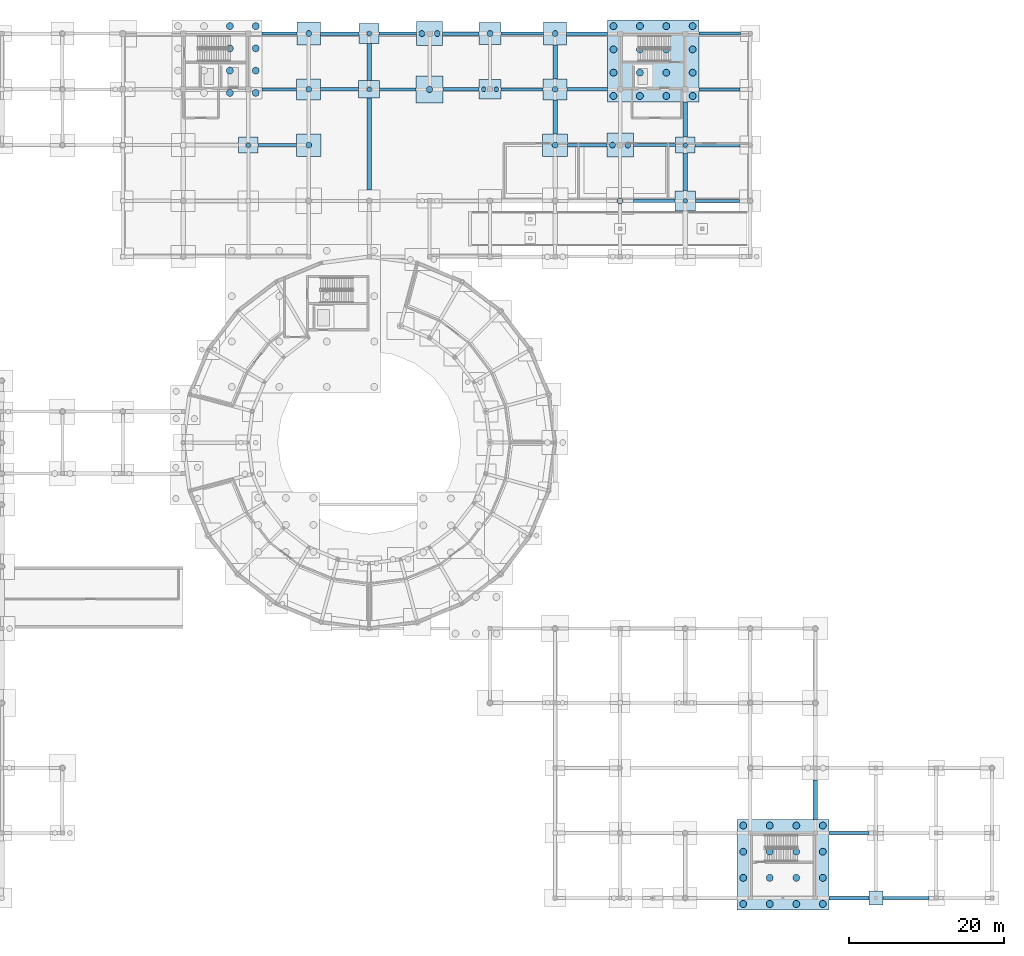
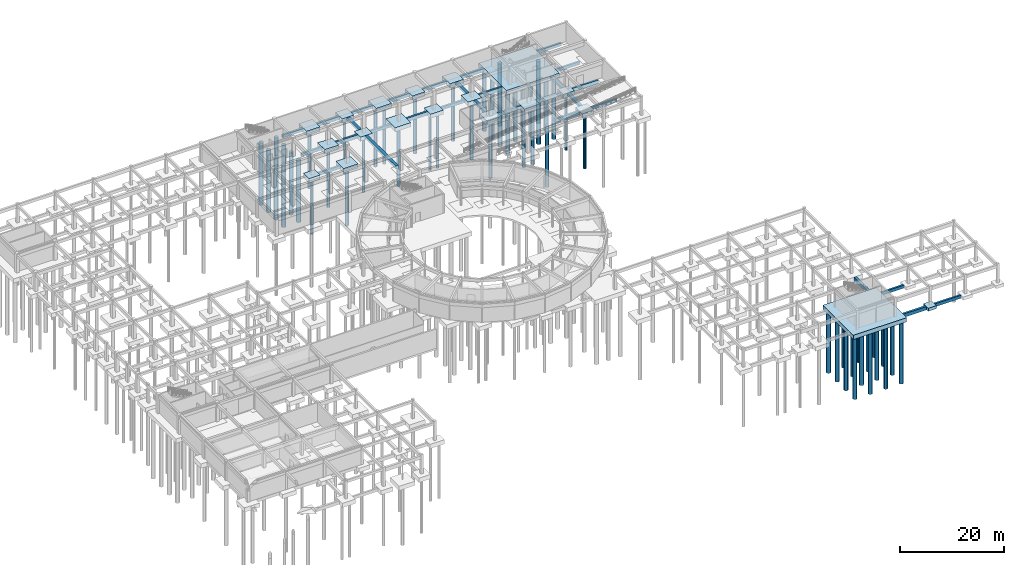
# One storey, part 6 of 43: 60 piles, 49 footings.
"""IFC4 building model written with IfcOpenShell, lengths in metres."""

from ifc_helpers import new_model, si_unit, derived_unit, direction, frame, origin, origin_2d, place, context, subcontext, project, spatial, rectangle, circle, extrude, material, material_profile, profile_set, type_object, element, save


model = new_model("IFC4")

# Units and contexts
model_context = context("Model", 3, precision=1e-05, world=origin(), true_north=direction((0.0, 1.0)))
body_context = subcontext(model_context, "Body", "Model", "MODEL_VIEW")
ifc_project = project(units=[si_unit("LENGTHUNIT", "METRE"), si_unit("AREAUNIT", "SQUARE_METRE"), si_unit("VOLUMEUNIT", "CUBIC_METRE"), si_unit("PLANEANGLEUNIT", "RADIAN"), si_unit("MASSUNIT", "GRAM", prefix="KILO"), derived_unit("THERMALTRANSMITTANCEUNIT", [(si_unit("POWERUNIT", "WATT"), 1), (si_unit("AREAUNIT", "SQUARE_METRE"), -1), (si_unit("THERMODYNAMICTEMPERATUREUNIT", "KELVIN"), -1)])], contexts=[model_context])

# Site, building, storey
site_placement = place(None, origin())
site = spatial("IfcSite", under=ifc_project, at=site_placement, CompositionType="ELEMENT")
building_placement = place(site_placement, origin())
building = spatial("IfcBuilding", under=site, at=building_placement, Name="Yasenodar Specialist Clinic", CompositionType="ELEMENT")
storey_placement = place(building_placement, frame((0.0, 0.0, -4.5)))
storey = spatial("IfcBuildingStorey", under=building, at=storey_placement, Name="B1", CompositionType="ELEMENT", Elevation=-4.5)

# Footings
ifc_material_1 = material(Name="Concrete C35/45", Category="concrete")
ifc_material_profile_1 = material_profile(ifc_material_1, rectangle(XDim=0.39990234375, YDim=0.699951171875, at=origin_2d()), Name="RC 400x700")
ifc_profile_set_1 = profile_set([ifc_material_profile_1], Name="Concrete C35/45")
footing_type_1 = type_object("IfcFootingType", Name="FB-400x700", PredefinedType="FOOTING_BEAM", material=ifc_profile_set_1)
footing_1_placement = place(storey_placement, frame((147.300048828125, 0.0, -0.39990234375), z_axis=(1.0, 0.0, 0.0), x_axis=(0.0, 1.0, 0.0)))
element("IfcFooting", 1, at=footing_1_placement, inside=storey, type_object=footing_type_1, Name="B1 E-W Ground Tie Beam 008", PredefinedType="FOOTING_BEAM", context=body_context, shape_type="SweptSolid", body=[
    extrude(rectangle(XDim=0.39990234375, YDim=0.699951171875, at=origin_2d()), origin(), (0.0, 0.0, 1.0), 6.0),
])
footing_2_placement = place(storey_placement, frame((140.35009765625, 8.39990234375, -0.39990234375), z_axis=(1.0, 0.0, 0.0), x_axis=(0.0, 1.0, 0.0)))
element("IfcFooting", 2, at=footing_2_placement, inside=storey, type_object=footing_type_1, Name="B1 E-W Ground Tie Beam 018", PredefinedType="FOOTING_BEAM", context=body_context, shape_type="SweptSolid", body=[
    extrude(rectangle(XDim=0.39990234375, YDim=0.699951171875, at=origin_2d()), origin(), (0.0, 0.0, 1.0), 5.14990234375),
])
footing_3_placement = place(storey_placement, frame((123.10009765625, 90.0, -0.39990234375), z_axis=(1.0, 0.0, 0.0), x_axis=(0.0, 1.0, 0.0)))
element("IfcFooting", 3, at=footing_3_placement, inside=storey, type_object=footing_type_1, Name="B1 E-W Ground Tie Beam 084", PredefinedType="FOOTING_BEAM", context=body_context, shape_type="SweptSolid", body=[
    extrude(rectangle(XDim=0.39990234375, YDim=0.699951171875, at=origin_2d()), origin(), (0.0, 0.0, 1.0), 5.699951171875),
])
footing_4_placement = place(storey_placement, frame((66.64990234375, 97.199951171875, -0.39990234375), z_axis=(1.0, 0.0, 0.0), x_axis=(0.0, 1.0, 0.0)))
element("IfcFooting", 4, at=footing_4_placement, inside=storey, type_object=footing_type_1, Name="B1 E-W Ground Tie Beam 092", PredefinedType="FOOTING_BEAM", context=body_context, shape_type="SweptSolid", body=[
    extrude(rectangle(XDim=0.39990234375, YDim=0.699951171875, at=origin_2d()), origin(), (0.0, 0.0, 1.0), 4.9501953125),
])
footing_5_placement = place(storey_placement, frame((115.10009765625, 97.199951171875, -0.39990234375), z_axis=(1.0, 0.0, 0.0), x_axis=(0.0, 1.0, 0.0)))
element("IfcFooting", 5, at=footing_5_placement, inside=storey, type_object=footing_type_1, Name="B1 E-W Ground Tie Beam 094", PredefinedType="FOOTING_BEAM", context=body_context, shape_type="SweptSolid", body=[
    extrude(rectangle(XDim=0.39990234375, YDim=0.699951171875, at=origin_2d()), origin(), (0.0, 0.0, 1.0), 5.449951171875),
])
footing_6_placement = place(storey_placement, frame((67.14990234375, 104.39990234375, -0.39990234375), z_axis=(1.0, 0.0, 0.0), x_axis=(0.0, 1.0, 0.0)))
element("IfcFooting", 6, at=footing_6_placement, inside=storey, type_object=footing_type_1, Name="B1 E-W Ground Tie Beam 102", PredefinedType="FOOTING_BEAM", context=body_context, shape_type="SweptSolid", body=[
    extrude(rectangle(XDim=0.39990234375, YDim=0.699951171875, at=origin_2d()), origin(), (0.0, 0.0, 1.0), 4.5),
])
footing_7_placement = place(storey_placement, frame((82.35009765625, 104.39990234375, -0.39990234375), z_axis=(1.0, 0.0, 0.0), x_axis=(0.0, 1.0, 0.0)))
element("IfcFooting", 7, at=footing_7_placement, inside=storey, type_object=footing_type_1, Name="B1 E-W Ground Tie Beam 104", PredefinedType="FOOTING_BEAM", context=body_context, shape_type="SweptSolid", body=[
    extrude(rectangle(XDim=0.39990234375, YDim=0.699951171875, at=origin_2d()), origin(), (0.0, 0.0, 1.0), 4.699951171875),
])
footing_8_placement = place(storey_placement, frame((98.050048828125, 104.39990234375, -0.39990234375), z_axis=(1.0, 0.0, 0.0), x_axis=(0.0, 1.0, 0.0)))
element("IfcFooting", 8, at=footing_8_placement, inside=storey, type_object=footing_type_1, Name="B1 E-W Ground Tie Beam 106", PredefinedType="FOOTING_BEAM", context=body_context, shape_type="SweptSolid", body=[
    extrude(rectangle(XDim=0.39990234375, YDim=0.699951171875, at=origin_2d()), origin(), (0.0, 0.0, 1.0), 5.39990234375),
])
footing_9_placement = place(storey_placement, frame((123.550048828125, 104.39990234375, -0.39990234375), z_axis=(1.0, 0.0, 0.0), x_axis=(0.0, 1.0, 0.0)))
element("IfcFooting", 9, at=footing_9_placement, inside=storey, type_object=footing_type_1, Name="B1 E-W Ground Tie Beam 108", PredefinedType="FOOTING_BEAM", context=body_context, shape_type="SweptSolid", body=[
    extrude(rectangle(XDim=0.39990234375, YDim=0.699951171875, at=origin_2d()), origin(), (0.0, 0.0, 1.0), 5.349853515625),
])
footing_10_placement = place(storey_placement, frame((67.14990234375, 111.60009765625, -0.39990234375), z_axis=(1.0, 0.0, 0.0), x_axis=(0.0, 1.0, 0.0)))
element("IfcFooting", 10, at=footing_10_placement, inside=storey, type_object=footing_type_1, Name="B1 E-W Ground Tie Beam 116", PredefinedType="FOOTING_BEAM", context=body_context, shape_type="SweptSolid", body=[
    extrude(rectangle(XDim=0.39990234375, YDim=0.699951171875, at=origin_2d()), origin(), (0.0, 0.0, 1.0), 4.550048828125),
])
footing_11_placement = place(storey_placement, frame((82.300048828125, 111.60009765625, -0.39990234375), z_axis=(1.0, 0.0, 0.0), x_axis=(0.0, 1.0, 0.0)))
element("IfcFooting", 11, at=footing_11_placement, inside=storey, type_object=footing_type_1, Name="B1 E-W Ground Tie Beam 118", PredefinedType="FOOTING_BEAM", context=body_context, shape_type="SweptSolid", body=[
    extrude(rectangle(XDim=0.39990234375, YDim=0.699951171875, at=origin_2d()), origin(), (0.0, 0.0, 1.0), 4.800048828125),
])
footing_12_placement = place(storey_placement, frame((98.0, 111.60009765625, -0.39990234375), z_axis=(1.0, 0.0, 0.0), x_axis=(0.0, 1.0, 0.0)))
element("IfcFooting", 12, at=footing_12_placement, inside=storey, type_object=footing_type_1, Name="B1 E-W Ground Tie Beam 120", PredefinedType="FOOTING_BEAM", context=body_context, shape_type="SweptSolid", body=[
    extrude(rectangle(XDim=0.39990234375, YDim=0.699951171875, at=origin_2d()), origin(), (0.0, 0.0, 1.0), 5.5),
])
footing_13_placement = place(storey_placement, frame((123.550048828125, 111.60009765625, -0.39990234375), z_axis=(1.0, 0.0, 0.0), x_axis=(0.0, 1.0, 0.0)))
element("IfcFooting", 13, at=footing_13_placement, inside=storey, type_object=footing_type_1, Name="B1 E-W Ground Tie Beam 122", PredefinedType="FOOTING_BEAM", context=body_context, shape_type="SweptSolid", body=[
    extrude(rectangle(XDim=0.39990234375, YDim=0.699951171875, at=origin_2d()), origin(), (0.0, 0.0, 1.0), 5.39990234375),
])
ifc_material_profile_2 = material_profile(ifc_material_1, rectangle(XDim=0.449951171875, YDim=0.800048828125, at=origin_2d()), Name="RC 450x800")
ifc_profile_set_2 = profile_set([ifc_material_profile_2], Name="Concrete C35/45")
footing_type_2 = type_object("IfcFootingType", Name="FB-450x800", PredefinedType="FOOTING_BEAM", material=ifc_profile_set_2)
footing_14_placement = place(storey_placement, frame((140.35009765625, 0.0, -0.39990234375), z_axis=(1.0, 0.0, 0.0), x_axis=(0.0, 1.0, 0.0)))
element("IfcFooting", 14, at=footing_14_placement, inside=storey, type_object=footing_type_2, Name="B1 E-W Ground Tie Beam 007", PredefinedType="FOOTING_BEAM", context=body_context, shape_type="SweptSolid", body=[
    extrude(rectangle(XDim=0.449951171875, YDim=0.800048828125, at=origin_2d()), origin(), (0.0, 0.0, 1.0), 5.14990234375),
])
footing_15_placement = place(storey_placement, frame((115.14990234375, 90.0, -0.39990234375), z_axis=(1.0, 0.0, 0.0), x_axis=(0.0, 1.0, 0.0)))
element("IfcFooting", 15, at=footing_15_placement, inside=storey, type_object=footing_type_2, Name="B1 E-W Ground Tie Beam 083", PredefinedType="FOOTING_BEAM", context=body_context, shape_type="SweptSolid", body=[
    extrude(rectangle(XDim=0.449951171875, YDim=0.800048828125, at=origin_2d()), origin(), (0.0, 0.0, 1.0), 5.35009765625),
])
footing_16_placement = place(storey_placement, frame((106.60009765625, 97.199951171875, -0.39990234375), z_axis=(1.0, 0.0, 0.0), x_axis=(0.0, 1.0, 0.0)))
element("IfcFooting", 16, at=footing_16_placement, inside=storey, type_object=footing_type_2, Name="B1 E-W Ground Tie Beam 093", PredefinedType="FOOTING_BEAM", context=body_context, shape_type="SweptSolid", body=[
    extrude(rectangle(XDim=0.449951171875, YDim=0.800048828125, at=origin_2d()), origin(), (0.0, 0.0, 1.0), 5.099853515625),
])
footing_17_placement = place(storey_placement, frame((123.050048828125, 97.199951171875, -0.39990234375), z_axis=(1.0, 0.0, 0.0), x_axis=(0.0, 1.0, 0.0)))
element("IfcFooting", 17, at=footing_17_placement, inside=storey, type_object=footing_type_2, Name="B1 E-W Ground Tie Beam 095", PredefinedType="FOOTING_BEAM", context=body_context, shape_type="SweptSolid", body=[
    extrude(rectangle(XDim=0.449951171875, YDim=0.800048828125, at=origin_2d()), origin(), (0.0, 0.0, 1.0), 5.800048828125),
])
footing_18_placement = place(storey_placement, frame((74.75, 104.39990234375, -0.39990234375), z_axis=(1.0, 0.0, 0.0), x_axis=(0.0, 1.0, 0.0)))
element("IfcFooting", 18, at=footing_18_placement, inside=storey, type_object=footing_type_2, Name="B1 E-W Ground Tie Beam 103", PredefinedType="FOOTING_BEAM", context=body_context, shape_type="SweptSolid", body=[
    extrude(rectangle(XDim=0.449951171875, YDim=0.800048828125, at=origin_2d()), origin(), (0.0, 0.0, 1.0), 4.89990234375),
])
footing_19_placement = place(storey_placement, frame((90.550048828125, 104.39990234375, -0.39990234375), z_axis=(1.0, 0.0, 0.0), x_axis=(0.0, 1.0, 0.0)))
element("IfcFooting", 19, at=footing_19_placement, inside=storey, type_object=footing_type_2, Name="B1 E-W Ground Tie Beam 105", PredefinedType="FOOTING_BEAM", context=body_context, shape_type="SweptSolid", body=[
    extrude(rectangle(XDim=0.449951171875, YDim=0.800048828125, at=origin_2d()), origin(), (0.0, 0.0, 1.0), 4.599853515625),
])
footing_20_placement = place(storey_placement, frame((106.550048828125, 104.39990234375, -0.39990234375), z_axis=(1.0, 0.0, 0.0), x_axis=(0.0, 1.0, 0.0)))
element("IfcFooting", 20, at=footing_20_placement, inside=storey, type_object=footing_type_2, Name="B1 E-W Ground Tie Beam 107", PredefinedType="FOOTING_BEAM", context=body_context, shape_type="SweptSolid", body=[
    extrude(rectangle(XDim=0.449951171875, YDim=0.800048828125, at=origin_2d()), origin(), (0.0, 0.0, 1.0), 5.199951171875),
])
footing_21_placement = place(storey_placement, frame((74.699951171875, 111.60009765625, -0.39990234375), z_axis=(1.0, 0.0, 0.0), x_axis=(0.0, 1.0, 0.0)))
element("IfcFooting", 21, at=footing_21_placement, inside=storey, type_object=footing_type_2, Name="B1 E-W Ground Tie Beam 117", PredefinedType="FOOTING_BEAM", context=body_context, shape_type="SweptSolid", body=[
    extrude(rectangle(XDim=0.449951171875, YDim=0.800048828125, at=origin_2d()), origin(), (0.0, 0.0, 1.0), 5.0),
])
footing_22_placement = place(storey_placement, frame((90.5, 111.60009765625, -0.39990234375), z_axis=(1.0, 0.0, 0.0), x_axis=(0.0, 1.0, 0.0)))
element("IfcFooting", 22, at=footing_22_placement, inside=storey, type_object=footing_type_2, Name="B1 E-W Ground Tie Beam 119", PredefinedType="FOOTING_BEAM", context=body_context, shape_type="SweptSolid", body=[
    extrude(rectangle(XDim=0.449951171875, YDim=0.800048828125, at=origin_2d()), origin(), (0.0, 0.0, 1.0), 4.699951171875),
])
footing_23_placement = place(storey_placement, frame((106.5, 111.60009765625, -0.39990234375), z_axis=(1.0, 0.0, 0.0), x_axis=(0.0, 1.0, 0.0)))
element("IfcFooting", 23, at=footing_23_placement, inside=storey, type_object=footing_type_2, Name="B1 E-W Ground Tie Beam 121", PredefinedType="FOOTING_BEAM", context=body_context, shape_type="SweptSolid", body=[
    extrude(rectangle(XDim=0.449951171875, YDim=0.800048828125, at=origin_2d()), origin(), (0.0, 0.0, 1.0), 5.25),
])
ifc_material_profile_3 = material_profile(ifc_material_1, rectangle(XDim=0.60009765625, YDim=0.60009765625, at=origin_2d()), Name="RC 600x600")
ifc_profile_set_3 = profile_set([ifc_material_profile_3], Name="Concrete C35/45")
footing_type_3 = type_object("IfcFootingType", Name="FB-600x600", PredefinedType="FOOTING_BEAM", material=ifc_profile_set_3)
footing_24_placement = place(storey_placement, frame((81.0, 91.39990234375, -0.300048828125), z_axis=(0.0, 1.0, 0.0), x_axis=(-1.0, 0.0, 0.0)))
element("IfcFooting", 24, at=footing_24_placement, inside=storey, type_object=footing_type_3, Name="B1 N-S Ground Tie Beam 169", PredefinedType="FOOTING_BEAM", context=body_context, shape_type="SweptSolid", body=[
    extrude(rectangle(XDim=0.60009765625, YDim=0.60009765625, at=origin_2d()), origin(), (0.0, 0.0, 1.0), 11.85009765625),
])
footing_25_placement = place(storey_placement, frame((81.0, 105.550048828125, -0.300048828125), z_axis=(0.0, 1.0, 0.0), x_axis=(-1.0, 0.0, 0.0)))
element("IfcFooting", 25, at=footing_25_placement, inside=storey, type_object=footing_type_3, Name="B1 N-S Ground Tie Beam 170", PredefinedType="FOOTING_BEAM", context=body_context, shape_type="SweptSolid", body=[
    extrude(rectangle(XDim=0.60009765625, YDim=0.60009765625, at=origin_2d()), origin(), (0.0, 0.0, 1.0), 4.75),
])
footing_26_placement = place(storey_placement, frame((105.0, 98.64990234375, -0.300048828125), z_axis=(0.0, 1.0, 0.0), x_axis=(-1.0, 0.0, 0.0)))
element("IfcFooting", 26, at=footing_26_placement, inside=storey, type_object=footing_type_3, Name="B1 N-S Ground Tie Beam 179", PredefinedType="FOOTING_BEAM", context=body_context, shape_type="SweptSolid", body=[
    extrude(rectangle(XDim=0.60009765625, YDim=0.60009765625, at=origin_2d()), origin(), (0.0, 0.0, 1.0), 4.400146484375),
])
footing_27_placement = place(storey_placement, frame((105.0, 105.75, -0.300048828125), z_axis=(0.0, 1.0, 0.0), x_axis=(-1.0, 0.0, 0.0)))
element("IfcFooting", 27, at=footing_27_placement, inside=storey, type_object=footing_type_3, Name="B1 N-S Ground Tie Beam 180", PredefinedType="FOOTING_BEAM", context=body_context, shape_type="SweptSolid", body=[
    extrude(rectangle(XDim=0.60009765625, YDim=0.60009765625, at=origin_2d()), origin(), (0.0, 0.0, 1.0), 4.35009765625),
])
footing_28_placement = place(storey_placement, frame((121.800048828125, 91.300048828125, -0.300048828125), z_axis=(0.0, 1.0, 0.0), x_axis=(-1.0, 0.0, 0.0)))
element("IfcFooting", 28, at=footing_28_placement, inside=storey, type_object=footing_type_3, Name="B1 N-S Ground Tie Beam 184", PredefinedType="FOOTING_BEAM", context=body_context, shape_type="SweptSolid", body=[
    extrude(rectangle(XDim=0.60009765625, YDim=0.60009765625, at=origin_2d()), origin(), (0.0, 0.0, 1.0), 4.849853515625),
])
footing_29_placement = place(storey_placement, frame((121.800048828125, 98.25, -0.300048828125), z_axis=(0.0, 1.0, 0.0), x_axis=(-1.0, 0.0, 0.0)))
element("IfcFooting", 29, at=footing_29_placement, inside=storey, type_object=footing_type_3, Name="B1 N-S Ground Tie Beam 185", PredefinedType="FOOTING_BEAM", context=body_context, shape_type="SweptSolid", body=[
    extrude(rectangle(XDim=0.60009765625, YDim=0.60009765625, at=origin_2d()), origin(), (0.0, 0.0, 1.0), 4.5),
])
footing_30_placement = place(storey_placement, frame((138.60009765625, 10.14990234375, -0.300048828125), z_axis=(0.0, 1.0, 0.0), x_axis=(-1.0, 0.0, 0.0)))
element("IfcFooting", 30, at=footing_30_placement, inside=storey, type_object=footing_type_3, Name="B1 N-S Ground Tie Beam 186", PredefinedType="FOOTING_BEAM", context=body_context, shape_type="SweptSolid", body=[
    extrude(rectangle(XDim=0.60009765625, YDim=0.60009765625, at=origin_2d()), origin(), (0.0, 0.0, 1.0), 5.10009765625),
])
footing_type_4 = type_object("IfcFootingType", Name="PAD-1800", PredefinedType="PAD_FOOTING", material=ifc_material_1)
footing_31_placement = place(storey_placement, frame((146.39990234375, 0.0, -0.7001953125), z_axis=(0.0, 0.0, 1.0), x_axis=(1.0, 0.0, 0.0)))
element("IfcFooting", 31, at=footing_31_placement, inside=storey, type_object=footing_type_4, Name="B1 Spread Pad Footing 01", PredefinedType="PAD_FOOTING", context=body_context, shape_type="SweptSolid", body=[
    extrude(rectangle(XDim=1.800048828125, YDim=1.800048828125, at=origin_2d()), origin(), (0.0, 0.0, 1.0), 0.699951171875),
])
footing_type_5 = type_object("IfcFootingType", Name="PC-1180x1060", PredefinedType="PILE_CAP", material=ifc_material_1)
footing_32_placement = place(storey_placement, frame((117.64990234375, 108.050048828125, -1.0), z_axis=(0.0, 0.0, 1.0), x_axis=(1.0, 0.0, 0.0)))
element("IfcFooting", 32, at=footing_32_placement, inside=storey, type_object=footing_type_5, Name="B1 Pile Cap 158", PredefinedType="PILE_CAP", context=body_context, shape_type="SweptSolid", body=[
    extrude(rectangle(XDim=11.800048828125, YDim=10.60009765625, at=origin_2d()), origin(), (0.0, 0.0, 1.0), 1.0),
])
footing_type_6 = type_object("IfcFootingType", Name="PC-1185x1170", PredefinedType="PILE_CAP", material=ifc_material_1)
footing_33_placement = place(storey_placement, frame((134.425048828125, 4.300048828125, -1.0), z_axis=(0.0, 0.0, 1.0), x_axis=(1.0, 0.0, 0.0)))
element("IfcFooting", 33, at=footing_33_placement, inside=storey, type_object=footing_type_6, Name="B1 Pile Cap 003", PredefinedType="PILE_CAP", context=body_context, shape_type="SweptSolid", body=[
    extrude(rectangle(XDim=11.85009765625, YDim=11.699951171875, at=origin_2d()), origin(), (0.0, 0.0, 1.0), 1.0),
])
footing_type_7 = type_object("IfcFootingType", Name="PC-250x210", PredefinedType="PILE_CAP", material=ifc_material_1)
for number, where, z_axis, x_axis, name in (
    (34, (65.39990234375, 97.199951171875, -1.0), (0.0, 0.0, 1.0), (1.0, 0.0, 0.0), "B1 Pile Cap 155"),
    (35, (121.800048828125, 97.199951171875, -1.0), (0.0, 0.0, 1.0), (1.0, 0.0, 0.0), "B1 Pile Cap 156"),
):
    element("IfcFooting", number, at=place(storey_placement, frame(where, z_axis=z_axis, x_axis=x_axis)), inside=storey, type_object=footing_type_7, Name=name, PredefinedType="PILE_CAP", context=body_context, shape_type="SweptSolid", body=[
        extrude(rectangle(XDim=2.5, YDim=2.10009765625, at=origin_2d()), origin(), (0.0, 0.0, 1.0), 1.0),
    ])
footing_type_8 = type_object("IfcFootingType", Name="PC-260x260", PredefinedType="PILE_CAP", material=ifc_material_1)
for number, where, z_axis, x_axis, name in (
    (36, (121.800048828125, 90.0, -1.0), (0.0, 0.0, 1.0), (1.0, 0.0, 0.0), "B1 Pile Cap 141"),
    (37, (81.0, 111.60009765625, -1.0), (0.0, 0.0, 1.0), (1.0, 0.0, 0.0), "B1 Pile Cap 178"),
):
    element("IfcFooting", number, at=place(storey_placement, frame(where, z_axis=z_axis, x_axis=x_axis)), inside=storey, type_object=footing_type_8, Name=name, PredefinedType="PILE_CAP", context=body_context, shape_type="SweptSolid", body=[
        extrude(rectangle(XDim=2.60009765625, YDim=2.60009765625, at=origin_2d()), origin(), (0.0, 0.0, 1.0), 1.0),
    ])
footing_type_9 = type_object("IfcFootingType", Name="PC-270x230", PredefinedType="PILE_CAP", material=ifc_material_1)
footing_34_placement = place(storey_placement, frame((81.0, 104.39990234375, -1.0), z_axis=(0.0, 0.0, 1.0), x_axis=(1.0, 0.0, 0.0)))
element("IfcFooting", 38, at=footing_34_placement, inside=storey, type_object=footing_type_9, Name="B1 Pile Cap 168", PredefinedType="PILE_CAP", context=body_context, shape_type="SweptSolid", body=[
    extrude(rectangle(XDim=2.699951171875, YDim=2.300048828125, at=origin_2d()), origin(), (0.0, 0.0, 1.0), 1.0),
])
footing_type_10 = type_object("IfcFootingType", Name="PC-280x280", PredefinedType="PILE_CAP", material=ifc_material_1)
footing_35_placement = place(storey_placement, frame((96.60009765625, 111.60009765625, -1.0), z_axis=(0.0, 0.0, 1.0), x_axis=(1.0, 0.0, 0.0)))
element("IfcFooting", 39, at=footing_35_placement, inside=storey, type_object=footing_type_10, Name="B1 Pile Cap 177", PredefinedType="PILE_CAP", context=body_context, shape_type="SweptSolid", body=[
    extrude(rectangle(XDim=2.800048828125, YDim=2.800048828125, at=origin_2d()), origin(), (0.0, 0.0, 1.0), 1.0),
])
footing_type_11 = type_object("IfcFootingType", Name="PC-290x250", PredefinedType="PILE_CAP", material=ifc_material_1)
footing_36_placement = place(storey_placement, frame((96.60009765625, 104.39990234375, -1.0), z_axis=(0.0, 0.0, 1.0), x_axis=(1.0, 0.0, 0.0)))
element("IfcFooting", 40, at=footing_36_placement, inside=storey, type_object=footing_type_11, Name="B1 Pile Cap 167", PredefinedType="PILE_CAP", context=body_context, shape_type="SweptSolid", body=[
    extrude(rectangle(XDim=2.89990234375, YDim=2.5, at=origin_2d()), origin(), (0.0, 0.0, 1.0), 1.0),
])
footing_type_12 = type_object("IfcFootingType", Name="PC-300x300", PredefinedType="PILE_CAP", material=ifc_material_1)
for number, where, z_axis, x_axis, name in (
    (41, (73.199951171875, 111.60009765625, -1.0), (0.0, 0.0, 1.0), (1.0, 0.0, 0.0), "B1 Pile Cap 175"),
    (42, (105.0, 111.60009765625, -1.0), (0.0, 0.0, 1.0), (1.0, 0.0, 0.0), "B1 Pile Cap 176"),
):
    element("IfcFooting", number, at=place(storey_placement, frame(where, z_axis=z_axis, x_axis=x_axis)), inside=storey, type_object=footing_type_12, Name=name, PredefinedType="PILE_CAP", context=body_context, shape_type="SweptSolid", body=[
        extrude(rectangle(XDim=3.0, YDim=3.0, at=origin_2d()), origin(), (0.0, 0.0, 1.0), 1.0),
    ])
footing_type_13 = type_object("IfcFootingType", Name="PC-310x270", PredefinedType="PILE_CAP", material=ifc_material_1)
for number, where, z_axis, x_axis, name in (
    (43, (73.199951171875, 104.39990234375, -1.0), (0.0, 0.0, 1.0), (1.0, 0.0, 0.0), "B1 Pile Cap 162"),
    (44, (105.0, 104.39990234375, -1.0), (0.0, 0.0, 1.0), (1.0, 0.0, 0.0), "B1 Pile Cap 163"),
):
    element("IfcFooting", number, at=place(storey_placement, frame(where, z_axis=z_axis, x_axis=x_axis)), inside=storey, type_object=footing_type_13, Name=name, PredefinedType="PILE_CAP", context=body_context, shape_type="SweptSolid", body=[
        extrude(rectangle(XDim=3.10009765625, YDim=2.699951171875, at=origin_2d()), origin(), (0.0, 0.0, 1.0), 1.0),
    ])
footing_type_14 = type_object("IfcFootingType", Name="PC-320x290", PredefinedType="PILE_CAP", material=ifc_material_1)
for number, where, z_axis, x_axis, name in (
    (45, (73.199951171875, 97.199951171875, -1.0), (0.0, 0.0, 1.0), (1.0, 0.0, 0.0), "B1 Pile Cap 148"),
    (46, (105.0, 97.199951171875, -1.0), (0.0, 0.0, 1.0), (1.0, 0.0, 0.0), "B1 Pile Cap 149"),
):
    element("IfcFooting", number, at=place(storey_placement, frame(where, z_axis=z_axis, x_axis=x_axis)), inside=storey, type_object=footing_type_14, Name=name, PredefinedType="PILE_CAP", context=body_context, shape_type="SweptSolid", body=[
        extrude(rectangle(XDim=3.199951171875, YDim=2.89990234375, at=origin_2d()), origin(), (0.0, 0.0, 1.0), 1.0),
    ])
footing_type_15 = type_object("IfcFootingType", Name="PC-340x310", PredefinedType="PILE_CAP", material=ifc_material_1)
for number, where, z_axis, x_axis, name in (
    (47, (113.39990234375, 97.199951171875, -1.0), (0.0, 0.0, 1.0), (1.0, 0.0, 0.0), "B1 Pile Cap 145"),
    (48, (88.800048828125, 111.60009765625, -1.0), (0.0, 0.0, 1.0), (1.0, 0.0, 0.0), "B1 Pile Cap 172"),
):
    element("IfcFooting", number, at=place(storey_placement, frame(where, z_axis=z_axis, x_axis=x_axis)), inside=storey, type_object=footing_type_15, Name=name, PredefinedType="PILE_CAP", context=body_context, shape_type="SweptSolid", body=[
        extrude(rectangle(XDim=3.39990234375, YDim=3.10009765625, at=origin_2d()), origin(), (0.0, 0.0, 1.0), 1.0),
    ])
footing_type_16 = type_object("IfcFootingType", Name="PC-350x350", PredefinedType="PILE_CAP", material=ifc_material_1)
footing_37_placement = place(storey_placement, frame((88.800048828125, 104.39990234375, -1.0), z_axis=(0.0, 0.0, 1.0), x_axis=(1.0, 0.0, 0.0)))
element("IfcFooting", 49, at=footing_37_placement, inside=storey, type_object=footing_type_16, Name="B1 Pile Cap 157", PredefinedType="PILE_CAP", context=body_context, shape_type="SweptSolid", body=[
    extrude(rectangle(XDim=3.5, YDim=3.5, at=origin_2d()), origin(), (0.0, 0.0, 1.0), 1.0),
])

# Piles
ifc_material_2 = material(Name="Concrete C30/37", Category="concrete")
ifc_material_profile_4 = material_profile(ifc_material_2, circle(Radius=0.300048828125, at=origin_2d()), Name="PILE D600")
ifc_profile_set_4 = profile_set([ifc_material_profile_4], Name="Concrete C30/37")
pile_type_1 = type_object("IfcPileType", Name="PILE-D600", PredefinedType="BORED", material=ifc_profile_set_4)
for number, where, z_axis, x_axis, name in (
    (50, (121.800048828125, 90.0, -0.89990234375), (0.0, 0.0, -1.0), (1.0, 0.0, 0.0), "B1 Bored Pile 0248"),
    (51, (65.39990234375, 97.199951171875, -0.89990234375), (0.0, 0.0, -1.0), (1.0, 0.0, 0.0), "B1 Bored Pile 0282"),
    (52, (121.800048828125, 97.199951171875, -0.89990234375), (0.0, 0.0, -1.0), (1.0, 0.0, 0.0), "B1 Bored Pile 0283"),
    (53, (95.7900390625, 104.39990234375, -0.89990234375), (0.0, 0.0, -1.0), (1.0, 0.0, 0.0), "B1 Bored Pile 0324"),
    (54, (97.409912109375, 104.39990234375, -0.89990234375), (0.0, 0.0, -1.0), (1.0, 0.0, 0.0), "B1 Bored Pile 0325"),
    (55, (81.0, 104.39990234375, -0.89990234375), (0.0, 0.0, -1.0), (1.0, 0.0, 0.0), "B1 Bored Pile 0326"),
    (56, (81.0, 111.60009765625, -0.89990234375), (0.0, 0.0, -1.0), (1.0, 0.0, 0.0), "B1 Bored Pile 0338"),
):
    element("IfcPile", number, at=place(storey_placement, frame(where, z_axis=z_axis, x_axis=x_axis)), inside=storey, type_object=pile_type_1, Name=name, PredefinedType="BORED", context=body_context, shape_type="SweptSolid", body=[
        extrude(circle(Radius=0.300048828125, at=origin_2d()), origin(), (0.0, 0.0, 1.0), 13.10009765625),
    ])
ifc_material_profile_5 = material_profile(ifc_material_2, circle(Radius=0.375, at=origin_2d()), Name="PILE D750")
ifc_profile_set_5 = profile_set([ifc_material_profile_5], Name="Concrete C30/37")
pile_type_2 = type_object("IfcPileType", Name="PILE-D750", PredefinedType="BORED", material=ifc_profile_set_5)
for number, where, z_axis, x_axis, name in (
    (57, (112.4150390625, 97.199951171875, -0.89990234375), (0.0, 0.0, -1.0), (1.0, 0.0, 0.0), "B1 Bored Pile 0269"),
    (58, (114.385009765625, 97.199951171875, -0.89990234375), (0.0, 0.0, -1.0), (1.0, 0.0, 0.0), "B1 Bored Pile 0270"),
    (59, (73.199951171875, 97.199951171875, -0.89990234375), (0.0, 0.0, -1.0), (1.0, 0.0, 0.0), "B1 Bored Pile 0273"),
    (60, (105.0, 97.199951171875, -0.89990234375), (0.0, 0.0, -1.0), (1.0, 0.0, 0.0), "B1 Bored Pile 0274"),
    (61, (73.199951171875, 104.39990234375, -0.89990234375), (0.0, 0.0, -1.0), (1.0, 0.0, 0.0), "B1 Bored Pile 0304"),
    (62, (105.0, 104.39990234375, -0.89990234375), (0.0, 0.0, -1.0), (1.0, 0.0, 0.0), "B1 Bored Pile 0305"),
    (63, (87.81494140625, 111.60009765625, -0.89990234375), (0.0, 0.0, -1.0), (1.0, 0.0, 0.0), "B1 Bored Pile 0331"),
    (64, (89.784912109375, 111.60009765625, -0.89990234375), (0.0, 0.0, -1.0), (1.0, 0.0, 0.0), "B1 Bored Pile 0332"),
    (65, (73.199951171875, 111.60009765625, -0.89990234375), (0.0, 0.0, -1.0), (1.0, 0.0, 0.0), "B1 Bored Pile 0335"),
    (66, (105.0, 111.60009765625, -0.89990234375), (0.0, 0.0, -1.0), (1.0, 0.0, 0.0), "B1 Bored Pile 0336"),
    (67, (96.60009765625, 111.60009765625, -0.89990234375), (0.0, 0.0, -1.0), (1.0, 0.0, 0.0), "B1 Bored Pile 0337"),
):
    element("IfcPile", number, at=place(storey_placement, frame(where, z_axis=z_axis, x_axis=x_axis)), inside=storey, type_object=pile_type_2, Name=name, PredefinedType="BORED", context=body_context, shape_type="SweptSolid", body=[
        extrude(circle(Radius=0.375, at=origin_2d()), origin(), (0.0, 0.0, 1.0), 13.800048828125),
    ])
ifc_material_profile_6 = material_profile(ifc_material_2, circle(Radius=0.39990234375, at=origin_2d()), Name="PILE D800")
ifc_profile_set_6 = profile_set([ifc_material_profile_6], Name="Concrete C30/37")
pile_type_3 = type_object("IfcPileType", Name="PILE-D800", PredefinedType="BORED", material=ifc_profile_set_6)
for number, where, z_axis, x_axis, name in (
    (68, (113.39990234375, 90.0, -0.89990234375), (0.0, 0.0, -1.0), (1.0, 0.0, 0.0), "B1 Bored Pile 0237"),
    (69, (88.800048828125, 104.39990234375, -0.89990234375), (0.0, 0.0, -1.0), (1.0, 0.0, 0.0), "B1 Bored Pile 0284"),
):
    element("IfcPile", number, at=place(storey_placement, frame(where, z_axis=z_axis, x_axis=x_axis)), inside=storey, type_object=pile_type_3, Name=name, PredefinedType="BORED", context=body_context, shape_type="SweptSolid", body=[
        extrude(circle(Radius=0.39990234375, at=origin_2d()), origin(), (0.0, 0.0, 1.0), 14.39990234375),
    ])
ifc_material_profile_7 = material_profile(ifc_material_2, circle(Radius=0.449951171875, at=origin_2d()), Name="PILE D900")
ifc_profile_set_7 = profile_set([ifc_material_profile_7], Name="Concrete C30/37")
pile_type_4 = type_object("IfcPileType", Name="PILE-D900", PredefinedType="BORED", material=ifc_profile_set_7)
for number, where, z_axis, x_axis, name in (
    (70, (129.2900390625, -0.760009765625, -0.89990234375), (0.0, 0.0, -1.0), (1.0, 0.0, 0.0), "B1 Bored Pile 0003"),
    (71, (129.2900390625, 2.61328125, -0.89990234375), (0.0, 0.0, -1.0), (1.0, 0.0, 0.0), "B1 Bored Pile 0004"),
    (72, (129.2900390625, 5.98681640625, -0.89990234375), (0.0, 0.0, -1.0), (1.0, 0.0, 0.0), "B1 Bored Pile 0005"),
    (73, (129.2900390625, 9.360107421875, -0.89990234375), (0.0, 0.0, -1.0), (1.0, 0.0, 0.0), "B1 Bored Pile 0006"),
    (74, (132.71337890625, -0.760009765625, -0.89990234375), (0.0, 0.0, -1.0), (1.0, 0.0, 0.0), "B1 Bored Pile 0007"),
    (75, (132.71337890625, 2.61328125, -0.89990234375), (0.0, 0.0, -1.0), (1.0, 0.0, 0.0), "B1 Bored Pile 0008"),
    (76, (132.71337890625, 5.98681640625, -0.89990234375), (0.0, 0.0, -1.0), (1.0, 0.0, 0.0), "B1 Bored Pile 0009"),
    (77, (132.71337890625, 9.360107421875, -0.89990234375), (0.0, 0.0, -1.0), (1.0, 0.0, 0.0), "B1 Bored Pile 0010"),
    (78, (136.13671875, -0.760009765625, -0.89990234375), (0.0, 0.0, -1.0), (1.0, 0.0, 0.0), "B1 Bored Pile 0011"),
    (79, (136.13671875, 2.61328125, -0.89990234375), (0.0, 0.0, -1.0), (1.0, 0.0, 0.0), "B1 Bored Pile 0012"),
    (80, (136.13671875, 5.98681640625, -0.89990234375), (0.0, 0.0, -1.0), (1.0, 0.0, 0.0), "B1 Bored Pile 0013"),
    (81, (136.13671875, 9.360107421875, -0.89990234375), (0.0, 0.0, -1.0), (1.0, 0.0, 0.0), "B1 Bored Pile 0014"),
    (82, (139.56005859375, -0.760009765625, -0.89990234375), (0.0, 0.0, -1.0), (1.0, 0.0, 0.0), "B1 Bored Pile 0015"),
    (83, (139.56005859375, 2.61328125, -0.89990234375), (0.0, 0.0, -1.0), (1.0, 0.0, 0.0), "B1 Bored Pile 0016"),
    (84, (139.56005859375, 5.98681640625, -0.89990234375), (0.0, 0.0, -1.0), (1.0, 0.0, 0.0), "B1 Bored Pile 0017"),
    (85, (139.56005859375, 9.360107421875, -0.89990234375), (0.0, 0.0, -1.0), (1.0, 0.0, 0.0), "B1 Bored Pile 0018"),
    (86, (112.5400390625, 103.5400390625, -0.89990234375), (0.0, 0.0, -1.0), (1.0, 0.0, 0.0), "B1 Bored Pile 0285"),
    (87, (112.5400390625, 106.546630859375, -0.89990234375), (0.0, 0.0, -1.0), (1.0, 0.0, 0.0), "B1 Bored Pile 0286"),
    (88, (112.5400390625, 109.55322265625, -0.89990234375), (0.0, 0.0, -1.0), (1.0, 0.0, 0.0), "B1 Bored Pile 0287"),
    (89, (112.5400390625, 112.56005859375, -0.89990234375), (0.0, 0.0, -1.0), (1.0, 0.0, 0.0), "B1 Bored Pile 0288"),
    (90, (115.94677734375, 103.5400390625, -0.89990234375), (0.0, 0.0, -1.0), (1.0, 0.0, 0.0), "B1 Bored Pile 0289"),
    (91, (115.94677734375, 106.546630859375, -0.89990234375), (0.0, 0.0, -1.0), (1.0, 0.0, 0.0), "B1 Bored Pile 0290"),
    (92, (115.94677734375, 109.55322265625, -0.89990234375), (0.0, 0.0, -1.0), (1.0, 0.0, 0.0), "B1 Bored Pile 0291"),
    (93, (115.94677734375, 112.56005859375, -0.89990234375), (0.0, 0.0, -1.0), (1.0, 0.0, 0.0), "B1 Bored Pile 0292"),
    (94, (119.353271484375, 103.5400390625, -0.89990234375), (0.0, 0.0, -1.0), (1.0, 0.0, 0.0), "B1 Bored Pile 0293"),
    (95, (119.353271484375, 106.546630859375, -0.89990234375), (0.0, 0.0, -1.0), (1.0, 0.0, 0.0), "B1 Bored Pile 0294"),
    (96, (119.353271484375, 109.55322265625, -0.89990234375), (0.0, 0.0, -1.0), (1.0, 0.0, 0.0), "B1 Bored Pile 0295"),
    (97, (119.353271484375, 112.56005859375, -0.89990234375), (0.0, 0.0, -1.0), (1.0, 0.0, 0.0), "B1 Bored Pile 0296"),
    (98, (122.760009765625, 103.5400390625, -0.89990234375), (0.0, 0.0, -1.0), (1.0, 0.0, 0.0), "B1 Bored Pile 0297"),
    (99, (122.760009765625, 106.546630859375, -0.89990234375), (0.0, 0.0, -1.0), (1.0, 0.0, 0.0), "B1 Bored Pile 0298"),
    (100, (122.760009765625, 109.55322265625, -0.89990234375), (0.0, 0.0, -1.0), (1.0, 0.0, 0.0), "B1 Bored Pile 0299"),
    (101, (122.760009765625, 112.56005859375, -0.89990234375), (0.0, 0.0, -1.0), (1.0, 0.0, 0.0), "B1 Bored Pile 0300"),
    (102, (63.02001953125, 103.93994140625, -0.89990234375), (0.0, 0.0, -1.0), (1.0, 0.0, 0.0), "B1 Bored Pile 0316"),
    (103, (63.02001953125, 106.813232421875, -0.89990234375), (0.0, 0.0, -1.0), (1.0, 0.0, 0.0), "B1 Bored Pile 0317"),
    (104, (63.02001953125, 109.686767578125, -0.89990234375), (0.0, 0.0, -1.0), (1.0, 0.0, 0.0), "B1 Bored Pile 0318"),
    (105, (63.02001953125, 112.56005859375, -0.89990234375), (0.0, 0.0, -1.0), (1.0, 0.0, 0.0), "B1 Bored Pile 0319"),
    (106, (66.360107421875, 103.93994140625, -0.89990234375), (0.0, 0.0, -1.0), (1.0, 0.0, 0.0), "B1 Bored Pile 0320"),
    (107, (66.360107421875, 106.813232421875, -0.89990234375), (0.0, 0.0, -1.0), (1.0, 0.0, 0.0), "B1 Bored Pile 0321"),
    (108, (66.360107421875, 109.686767578125, -0.89990234375), (0.0, 0.0, -1.0), (1.0, 0.0, 0.0), "B1 Bored Pile 0322"),
    (109, (66.360107421875, 112.56005859375, -0.89990234375), (0.0, 0.0, -1.0), (1.0, 0.0, 0.0), "B1 Bored Pile 0323"),
):
    element("IfcPile", number, at=place(storey_placement, frame(where, z_axis=z_axis, x_axis=x_axis)), inside=storey, type_object=pile_type_4, Name=name, PredefinedType="BORED", context=body_context, shape_type="SweptSolid", body=[
        extrude(circle(Radius=0.449951171875, at=origin_2d()), origin(), (0.0, 0.0, 1.0), 14.60009765625),
    ])

save(model, "model.ifc")
